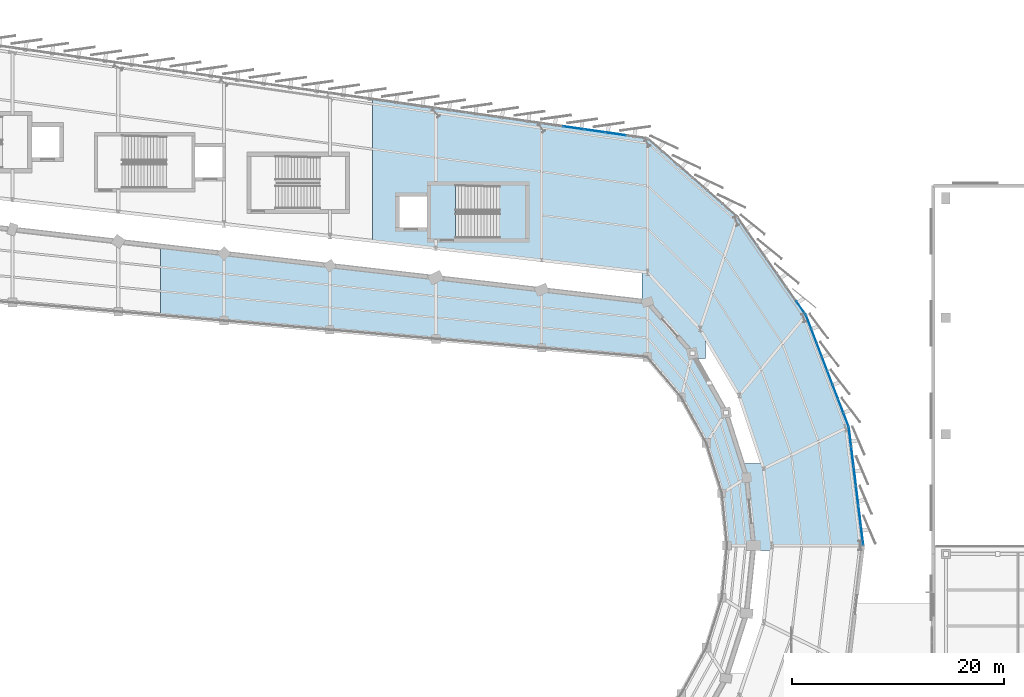
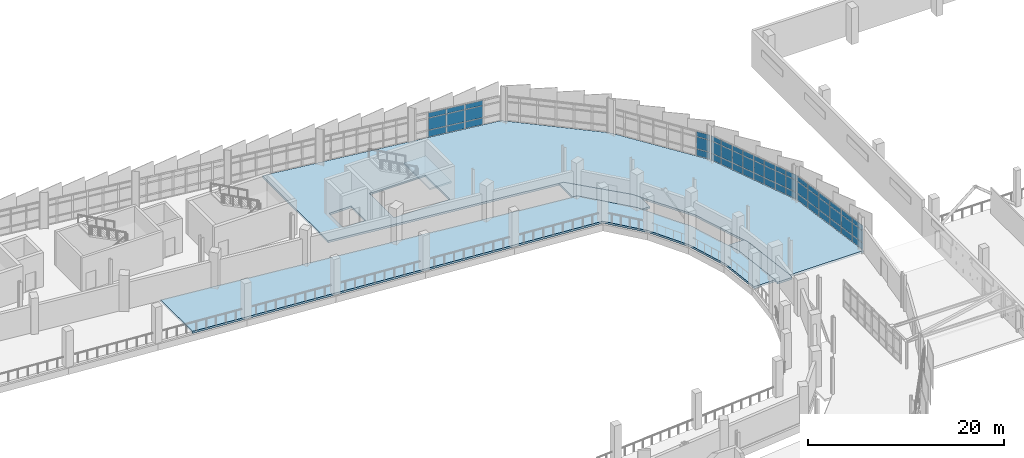
# One storey, part 95 of 125: 54 plates, 5 slabs, 5 elements without a shape of their own.
"""IFC4 building model written with IfcOpenShell, lengths in metres."""

from ifc_helpers import new_model, si_unit, direction, frame, origin, origin_2d, place, context, subcontext, project, spatial, polyline, rectangle, outline, extrude, material, layer, layer_set, type_object, element, aggregate, save


model = new_model("IFC4")

# Units and contexts
model_context = context("Model", 3, precision=1e-05, world=origin(), true_north=direction((0.0, 1.0)))
body_context = subcontext(model_context, "Body", "Model", "MODEL_VIEW")
ifc_project = project(units=[si_unit("LENGTHUNIT", "METRE"), si_unit("AREAUNIT", "SQUARE_METRE"), si_unit("VOLUMEUNIT", "CUBIC_METRE"), si_unit("PLANEANGLEUNIT", "RADIAN"), si_unit("MASSUNIT", "GRAM", prefix="KILO")], contexts=[model_context])

# Site, building, storey
site_placement = place(None, origin())
site = spatial("IfcSite", under=ifc_project, at=site_placement, CompositionType="ELEMENT")
building_placement = place(site_placement, origin())
building = spatial("IfcBuilding", under=site, at=building_placement, Name="Sohan Crest Arena", CompositionType="ELEMENT")
storey_placement = place(building_placement, frame((0.0, 0.0, 9.0)))
storey = spatial("IfcBuildingStorey", under=building, at=storey_placement, Name="L02", CompositionType="ELEMENT", Elevation=9.0)

# Curtain wall, plates
ifc_material_1 = material(Name="Thermally broken anodised aluminium", Category="aluminium")
ifc_layer_1 = layer(ifc_material_1, 0.179931640625, Name="Thermally broken anodised aluminium")
ifc_layer_set_1 = layer_set([ifc_layer_1], Name="Thermally broken anodised aluminium")
curtain_wall_type_1 = type_object("IfcCurtainWallType", Name="ARC-CW01", PredefinedType="NOTDEFINED", material=ifc_layer_set_1)
curtain_wall_1_placement = place(storey_placement, origin())
curtain_wall_1 = element("IfcCurtainWall", 1, at=curtain_wall_1_placement, inside=storey, type_object=curtain_wall_type_1, Name="Unitised curtain wall CW-070", PredefinedType="NOTDEFINED")
ifc_material_2 = material(Name="Low-E double-glazed insulated glass", Category="glass")
ifc_layer_2 = layer(ifc_material_2, 0.028076171875, Name="Low-E double-glazed insulated glass")
ifc_layer_set_2 = layer_set([ifc_layer_2], Name="Low-E double-glazed insulated glass")
plate_type_1 = type_object("IfcPlateType", Name="ARC-CNP01", PredefinedType="CURTAIN_PANEL", material=ifc_layer_set_2)
plate_1_placement = place(storey_placement, frame((186.757080078125, 89.88525390625, 0.06005859375), z_axis=(0.0, 0.0, 1.0), x_axis=(-0.357566775262, 0.933887574191, 0.0)))
plate_1 = element("IfcPlate", 2, at=plate_1_placement, type_object=plate_type_1, Name="CW-070 panel 1.1", PredefinedType="CURTAIN_PANEL", context=body_context, shape_type="SweptSolid", body=[
    extrude(rectangle(XDim=1.322021484375, YDim=0.028076171875, at=origin_2d()), origin(), (0.0, 0.0, 1.0), 0.81005859375),
])
plate_2_placement = place(storey_placement, frame((186.757080078125, 89.88525390625, 0.929931640625), z_axis=(0.0, 0.0, 1.0), x_axis=(-0.357566775262, 0.933887574191, 0.0)))
plate_2 = element("IfcPlate", 3, at=plate_2_placement, type_object=plate_type_1, Name="CW-070 panel 1.2", PredefinedType="CURTAIN_PANEL", context=body_context, shape_type="SweptSolid", body=[
    extrude(rectangle(XDim=1.322021484375, YDim=0.028076171875, at=origin_2d()), origin(), (0.0, 0.0, 1.0), 1.4599609375),
])
plate_3_placement = place(storey_placement, frame((186.757080078125, 89.88525390625, 2.44970703125), z_axis=(0.0, 0.0, 1.0), x_axis=(-0.357566775262, 0.933887574191, 0.0)))
plate_3 = element("IfcPlate", 4, at=plate_3_placement, type_object=plate_type_1, Name="CW-070 panel 1.3", PredefinedType="CURTAIN_PANEL", context=body_context, shape_type="SweptSolid", body=[
    extrude(rectangle(XDim=1.322021484375, YDim=0.028076171875, at=origin_2d()), origin(), (0.0, 0.0, 1.0), 0.610107421875),
])
plate_4_placement = place(storey_placement, frame((186.257568359375, 91.18994140625, 0.06005859375), z_axis=(0.0, 0.0, 1.0), x_axis=(-0.357566775262, 0.933887574191, 0.0)))
plate_4 = element("IfcPlate", 5, at=plate_4_placement, type_object=plate_type_1, Name="CW-070 panel 2.1", PredefinedType="CURTAIN_PANEL", context=body_context, shape_type="SweptSolid", body=[
    extrude(rectangle(XDim=1.35205078125, YDim=0.028076171875, at=origin_2d()), origin(), (0.0, 0.0, 1.0), 0.81005859375),
])
plate_5_placement = place(storey_placement, frame((186.257568359375, 91.18994140625, 0.929931640625), z_axis=(0.0, 0.0, 1.0), x_axis=(-0.357566775262, 0.933887574191, 0.0)))
plate_5 = element("IfcPlate", 6, at=plate_5_placement, type_object=plate_type_1, Name="CW-070 panel 2.2", PredefinedType="CURTAIN_PANEL", context=body_context, shape_type="SweptSolid", body=[
    extrude(rectangle(XDim=1.35205078125, YDim=0.028076171875, at=origin_2d()), origin(), (0.0, 0.0, 1.0), 1.4599609375),
])
plate_6_placement = place(storey_placement, frame((186.257568359375, 91.18994140625, 2.44970703125), z_axis=(0.0, 0.0, 1.0), x_axis=(-0.357566775262, 0.933887574191, 0.0)))
plate_6 = element("IfcPlate", 7, at=plate_6_placement, type_object=plate_type_1, Name="CW-070 panel 2.3", PredefinedType="CURTAIN_PANEL", context=body_context, shape_type="SweptSolid", body=[
    extrude(rectangle(XDim=1.35205078125, YDim=0.028076171875, at=origin_2d()), origin(), (0.0, 0.0, 1.0), 0.610107421875),
])
plate_7_placement = place(storey_placement, frame((185.7529296875, 92.508544921875, 0.06005859375), z_axis=(0.0, 0.0, 1.0), x_axis=(-0.357566775262, 0.933887574191, 0.0)))
plate_7 = element("IfcPlate", 8, at=plate_7_placement, type_object=plate_type_1, Name="CW-070 panel 3.1", PredefinedType="CURTAIN_PANEL", context=body_context, shape_type="SweptSolid", body=[
    extrude(rectangle(XDim=1.35205078125, YDim=0.028076171875, at=origin_2d()), origin(), (0.0, 0.0, 1.0), 0.81005859375),
])
plate_8_placement = place(storey_placement, frame((185.7529296875, 92.508544921875, 0.929931640625), z_axis=(0.0, 0.0, 1.0), x_axis=(-0.357566775262, 0.933887574191, 0.0)))
plate_8 = element("IfcPlate", 9, at=plate_8_placement, type_object=plate_type_1, Name="CW-070 panel 3.2", PredefinedType="CURTAIN_PANEL", context=body_context, shape_type="SweptSolid", body=[
    extrude(rectangle(XDim=1.35205078125, YDim=0.028076171875, at=origin_2d()), origin(), (0.0, 0.0, 1.0), 1.4599609375),
])
plate_9_placement = place(storey_placement, frame((185.7529296875, 92.508544921875, 2.44970703125), z_axis=(0.0, 0.0, 1.0), x_axis=(-0.357566775262, 0.933887574191, 0.0)))
plate_9 = element("IfcPlate", 10, at=plate_9_placement, type_object=plate_type_1, Name="CW-070 panel 3.3", PredefinedType="CURTAIN_PANEL", context=body_context, shape_type="SweptSolid", body=[
    extrude(rectangle(XDim=1.35205078125, YDim=0.028076171875, at=origin_2d()), origin(), (0.0, 0.0, 1.0), 0.610107421875),
])
plate_10_placement = place(storey_placement, frame((185.248046875, 93.8271484375, 0.06005859375), z_axis=(0.0, 0.0, 1.0), x_axis=(-0.357566775262, 0.933887574191, 0.0)))
plate_10 = element("IfcPlate", 11, at=plate_10_placement, type_object=plate_type_1, Name="CW-070 panel 4.1", PredefinedType="CURTAIN_PANEL", context=body_context, shape_type="SweptSolid", body=[
    extrude(rectangle(XDim=1.35205078125, YDim=0.028076171875, at=origin_2d()), origin(), (0.0, 0.0, 1.0), 0.81005859375),
])
plate_11_placement = place(storey_placement, frame((185.248046875, 93.8271484375, 0.929931640625), z_axis=(0.0, 0.0, 1.0), x_axis=(-0.357566775262, 0.933887574191, 0.0)))
plate_11 = element("IfcPlate", 12, at=plate_11_placement, type_object=plate_type_1, Name="CW-070 panel 4.2", PredefinedType="CURTAIN_PANEL", context=body_context, shape_type="SweptSolid", body=[
    extrude(rectangle(XDim=1.35205078125, YDim=0.028076171875, at=origin_2d()), origin(), (0.0, 0.0, 1.0), 1.4599609375),
])
plate_12_placement = place(storey_placement, frame((185.248046875, 93.8271484375, 2.44970703125), z_axis=(0.0, 0.0, 1.0), x_axis=(-0.357566775262, 0.933887574191, 0.0)))
plate_12 = element("IfcPlate", 13, at=plate_12_placement, type_object=plate_type_1, Name="CW-070 panel 4.3", PredefinedType="CURTAIN_PANEL", context=body_context, shape_type="SweptSolid", body=[
    extrude(rectangle(XDim=1.35205078125, YDim=0.028076171875, at=origin_2d()), origin(), (0.0, 0.0, 1.0), 0.610107421875),
])
plate_13_placement = place(storey_placement, frame((184.7431640625, 95.145751953125, 0.06005859375), z_axis=(0.0, 0.0, 1.0), x_axis=(-0.357566775262, 0.933887574191, 0.0)))
plate_13 = element("IfcPlate", 14, at=plate_13_placement, type_object=plate_type_1, Name="CW-070 panel 5.1", PredefinedType="CURTAIN_PANEL", context=body_context, shape_type="SweptSolid", body=[
    extrude(rectangle(XDim=1.35205078125, YDim=0.028076171875, at=origin_2d()), origin(), (0.0, 0.0, 1.0), 0.81005859375),
])
plate_14_placement = place(storey_placement, frame((184.7431640625, 95.145751953125, 0.929931640625), z_axis=(0.0, 0.0, 1.0), x_axis=(-0.357566775262, 0.933887574191, 0.0)))
plate_14 = element("IfcPlate", 15, at=plate_14_placement, type_object=plate_type_1, Name="CW-070 panel 5.2", PredefinedType="CURTAIN_PANEL", context=body_context, shape_type="SweptSolid", body=[
    extrude(rectangle(XDim=1.35205078125, YDim=0.028076171875, at=origin_2d()), origin(), (0.0, 0.0, 1.0), 1.4599609375),
])
plate_15_placement = place(storey_placement, frame((184.7431640625, 95.145751953125, 2.44970703125), z_axis=(0.0, 0.0, 1.0), x_axis=(-0.357566775262, 0.933887574191, 0.0)))
plate_15 = element("IfcPlate", 16, at=plate_15_placement, type_object=plate_type_1, Name="CW-070 panel 5.3", PredefinedType="CURTAIN_PANEL", context=body_context, shape_type="SweptSolid", body=[
    extrude(rectangle(XDim=1.35205078125, YDim=0.028076171875, at=origin_2d()), origin(), (0.0, 0.0, 1.0), 0.610107421875),
])
plate_16_placement = place(storey_placement, frame((184.23828125, 96.46435546875, 0.06005859375), z_axis=(0.0, 0.0, 1.0), x_axis=(-0.357566775262, 0.933887574191, 0.0)))
plate_16 = element("IfcPlate", 17, at=plate_16_placement, type_object=plate_type_1, Name="CW-070 panel 6.1", PredefinedType="CURTAIN_PANEL", context=body_context, shape_type="SweptSolid", body=[
    extrude(rectangle(XDim=1.35205078125, YDim=0.028076171875, at=origin_2d()), origin(), (0.0, 0.0, 1.0), 0.81005859375),
])
plate_17_placement = place(storey_placement, frame((184.23828125, 96.46435546875, 0.929931640625), z_axis=(0.0, 0.0, 1.0), x_axis=(-0.357566775262, 0.933887574191, 0.0)))
plate_17 = element("IfcPlate", 18, at=plate_17_placement, type_object=plate_type_1, Name="CW-070 panel 6.2", PredefinedType="CURTAIN_PANEL", context=body_context, shape_type="SweptSolid", body=[
    extrude(rectangle(XDim=1.35205078125, YDim=0.028076171875, at=origin_2d()), origin(), (0.0, 0.0, 1.0), 1.4599609375),
])
plate_18_placement = place(storey_placement, frame((184.23828125, 96.46435546875, 2.44970703125), z_axis=(0.0, 0.0, 1.0), x_axis=(-0.357566775262, 0.933887574191, 0.0)))
plate_18 = element("IfcPlate", 19, at=plate_18_placement, type_object=plate_type_1, Name="CW-070 panel 6.3", PredefinedType="CURTAIN_PANEL", context=body_context, shape_type="SweptSolid", body=[
    extrude(rectangle(XDim=1.35205078125, YDim=0.028076171875, at=origin_2d()), origin(), (0.0, 0.0, 1.0), 0.610107421875),
])
plate_19_placement = place(storey_placement, frame((183.7333984375, 97.782958984375, 0.06005859375), z_axis=(0.0, 0.0, 1.0), x_axis=(-0.357566775262, 0.933887574191, 0.0)))
plate_19 = element("IfcPlate", 20, at=plate_19_placement, type_object=plate_type_1, Name="CW-070 panel 7.1", PredefinedType="CURTAIN_PANEL", context=body_context, shape_type="SweptSolid", body=[
    extrude(rectangle(XDim=1.35205078125, YDim=0.028076171875, at=origin_2d()), origin(), (0.0, 0.0, 1.0), 0.81005859375),
])
plate_20_placement = place(storey_placement, frame((183.7333984375, 97.782958984375, 0.929931640625), z_axis=(0.0, 0.0, 1.0), x_axis=(-0.357566775262, 0.933887574191, 0.0)))
plate_20 = element("IfcPlate", 21, at=plate_20_placement, type_object=plate_type_1, Name="CW-070 panel 7.2", PredefinedType="CURTAIN_PANEL", context=body_context, shape_type="SweptSolid", body=[
    extrude(rectangle(XDim=1.35205078125, YDim=0.028076171875, at=origin_2d()), origin(), (0.0, 0.0, 1.0), 1.4599609375),
])
plate_21_placement = place(storey_placement, frame((183.7333984375, 97.782958984375, 2.44970703125), z_axis=(0.0, 0.0, 1.0), x_axis=(-0.357566775262, 0.933887574191, 0.0)))
plate_21 = element("IfcPlate", 22, at=plate_21_placement, type_object=plate_type_1, Name="CW-070 panel 7.3", PredefinedType="CURTAIN_PANEL", context=body_context, shape_type="SweptSolid", body=[
    extrude(rectangle(XDim=1.35205078125, YDim=0.028076171875, at=origin_2d()), origin(), (0.0, 0.0, 1.0), 0.610107421875),
])
plate_22_placement = place(storey_placement, frame((183.23388671875, 99.087646484375, 0.06005859375), z_axis=(0.0, 0.0, 1.0), x_axis=(-0.357566775262, 0.933887574191, 0.0)))
plate_22 = element("IfcPlate", 23, at=plate_22_placement, type_object=plate_type_1, Name="CW-070 panel 8.1", PredefinedType="CURTAIN_PANEL", context=body_context, shape_type="SweptSolid", body=[
    extrude(rectangle(XDim=1.322021484375, YDim=0.028076171875, at=origin_2d()), origin(), (0.0, 0.0, 1.0), 0.81005859375),
])
plate_23_placement = place(storey_placement, frame((183.23388671875, 99.087646484375, 0.929931640625), z_axis=(0.0, 0.0, 1.0), x_axis=(-0.357566775262, 0.933887574191, 0.0)))
plate_23 = element("IfcPlate", 24, at=plate_23_placement, type_object=plate_type_1, Name="CW-070 panel 8.2", PredefinedType="CURTAIN_PANEL", context=body_context, shape_type="SweptSolid", body=[
    extrude(rectangle(XDim=1.322021484375, YDim=0.028076171875, at=origin_2d()), origin(), (0.0, 0.0, 1.0), 1.4599609375),
])
plate_24_placement = place(storey_placement, frame((183.23388671875, 99.087646484375, 2.44970703125), z_axis=(0.0, 0.0, 1.0), x_axis=(-0.357566775262, 0.933887574191, 0.0)))
plate_24 = element("IfcPlate", 25, at=plate_24_placement, type_object=plate_type_1, Name="CW-070 panel 8.3", PredefinedType="CURTAIN_PANEL", context=body_context, shape_type="SweptSolid", body=[
    extrude(rectangle(XDim=1.322021484375, YDim=0.028076171875, at=origin_2d()), origin(), (0.0, 0.0, 1.0), 0.610107421875),
])
aggregate(curtain_wall_1, [plate_1, plate_2, plate_3, plate_4, plate_5, plate_6, plate_7, plate_8, plate_9, plate_10, plate_11, plate_12, plate_13, plate_14, plate_15, plate_16, plate_17, plate_18, plate_19, plate_20, plate_21, plate_22, plate_23, plate_24])

ifc_layer_3 = layer(ifc_material_1, 0.199951171875, Name="Thermally broken anodised aluminium")
ifc_layer_set_3 = layer_set([ifc_layer_3], Name="Thermally broken anodised aluminium")
curtain_wall_type_2 = type_object("IfcCurtainWallType", Name="ARC-CW02", PredefinedType="NOTDEFINED", material=ifc_layer_set_3)
curtain_wall_2_placement = place(storey_placement, origin())
curtain_wall_2 = element("IfcCurtainWall", 26, at=curtain_wall_2_placement, inside=storey, type_object=curtain_wall_type_2, Name="Unitised curtain wall CW-071", PredefinedType="NOTDEFINED")
ifc_layer_4 = layer(ifc_material_2, 0.031982421875, Name="Low-E double-glazed insulated glass")
ifc_layer_set_4 = layer_set([ifc_layer_4], Name="Low-E double-glazed insulated glass")
plate_type_2 = type_object("IfcPlateType", Name="ARC-CNP02", PredefinedType="CURTAIN_PANEL", material=ifc_layer_set_4)
plate_25_placement = place(storey_placement, frame((182.5048828125, 100.435791015625, 0.06494140625), z_axis=(0.0, 0.0, 1.0), x_axis=(-0.572428059971, 0.819954947639, 0.0)))
plate_25 = element("IfcPlate", 27, at=plate_25_placement, type_object=plate_type_2, Name="CW-071 panel 1.1", PredefinedType="CURTAIN_PANEL", context=body_context, shape_type="SweptSolid", body=[
    extrude(rectangle(XDim=1.51611328125, YDim=0.031982421875, at=origin_2d()), origin(), (0.0, 0.0, 1.0), 0.802490234375),
])
plate_26_placement = place(storey_placement, frame((182.5048828125, 100.435791015625, 0.932373046875), z_axis=(0.0, 0.0, 1.0), x_axis=(-0.572428059971, 0.819954947639, 0.0)))
plate_26 = element("IfcPlate", 28, at=plate_26_placement, type_object=plate_type_2, Name="CW-071 panel 1.2", PredefinedType="CURTAIN_PANEL", context=body_context, shape_type="SweptSolid", body=[
    extrude(rectangle(XDim=1.51611328125, YDim=0.031982421875, at=origin_2d()), origin(), (0.0, 0.0, 1.0), 1.455078125),
])
plate_27_placement = place(storey_placement, frame((182.5048828125, 100.435791015625, 2.452392578125), z_axis=(0.0, 0.0, 1.0), x_axis=(-0.572428059971, 0.819954947639, 0.0)))
plate_27 = element("IfcPlate", 29, at=plate_27_placement, type_object=plate_type_2, Name="CW-071 panel 1.3", PredefinedType="CURTAIN_PANEL", context=body_context, shape_type="SweptSolid", body=[
    extrude(rectangle(XDim=1.51611328125, YDim=0.031982421875, at=origin_2d()), origin(), (0.0, 0.0, 1.0), 0.6025390625),
])
aggregate(curtain_wall_2, [plate_25, plate_26, plate_27])

ifc_layer_5 = layer(ifc_material_1, 0.2099609375, Name="Thermally broken anodised aluminium")
ifc_layer_set_5 = layer_set([ifc_layer_5], Name="Thermally broken anodised aluminium")
curtain_wall_type_3 = type_object("IfcCurtainWallType", Name="ARC-CW06", PredefinedType="NOTDEFINED", material=ifc_layer_set_5)
curtain_wall_3_placement = place(storey_placement, origin())
curtain_wall_3 = element("IfcCurtainWall", 30, at=curtain_wall_3_placement, inside=storey, type_object=curtain_wall_type_3, Name="Unitised curtain wall CW-069", PredefinedType="NOTDEFINED")
ifc_material_3 = material(Name="Insulated polychrome ceramic spandrel panel", Category="masonry")
ifc_layer_6 = layer(ifc_material_3, 0.0419921875, Name="Insulated polychrome ceramic spandrel panel")
ifc_layer_set_6 = layer_set([ifc_layer_6], Name="Insulated polychrome ceramic spandrel panel")
plate_type_3 = type_object("IfcPlateType", Name="ARC-CNP04", PredefinedType="CURTAIN_PANEL", material=ifc_layer_set_6)
plate_28_placement = place(storey_placement, frame((188.272216796875, 78.952880859375, 0.070068359375), z_axis=(0.0, 0.0, 1.0), x_axis=(-0.121637310023, 0.992574614228, 0.0)))
plate_28 = element("IfcPlate", 31, at=plate_28_placement, type_object=plate_type_3, Name="CW-069 panel 1.1", PredefinedType="CURTAIN_PANEL", context=body_context, shape_type="SweptSolid", body=[
    extrude(rectangle(XDim=1.770263671875, YDim=0.0419921875, at=origin_2d()), origin(), (0.0, 0.0, 1.0), 0.794921875),
])
plate_29_placement = place(storey_placement, frame((188.272216796875, 78.952880859375, 0.93505859375), z_axis=(0.0, 0.0, 1.0), x_axis=(-0.121637310023, 0.992574614228, 0.0)))
plate_29 = element("IfcPlate", 32, at=plate_29_placement, type_object=plate_type_3, Name="CW-069 panel 1.2", PredefinedType="CURTAIN_PANEL", context=body_context, shape_type="SweptSolid", body=[
    extrude(rectangle(XDim=1.770263671875, YDim=0.0419921875, at=origin_2d()), origin(), (0.0, 0.0, 1.0), 1.449951171875),
])
plate_30_placement = place(storey_placement, frame((188.272216796875, 78.952880859375, 2.455078125), z_axis=(0.0, 0.0, 1.0), x_axis=(-0.121637310023, 0.992574614228, 0.0)))
plate_30 = element("IfcPlate", 33, at=plate_30_placement, type_object=plate_type_3, Name="CW-069 panel 1.3", PredefinedType="CURTAIN_PANEL", context=body_context, shape_type="SweptSolid", body=[
    extrude(rectangle(XDim=1.770263671875, YDim=0.0419921875, at=origin_2d()), origin(), (0.0, 0.0, 1.0), 0.594970703125),
])
plate_31_placement = place(storey_placement, frame((188.04541015625, 80.802978515625, 0.070068359375), z_axis=(0.0, 0.0, 1.0), x_axis=(-0.121637310023, 0.992574614228, 0.0)))
plate_31 = element("IfcPlate", 34, at=plate_31_placement, type_object=plate_type_3, Name="CW-069 panel 2.1", PredefinedType="CURTAIN_PANEL", context=body_context, shape_type="SweptSolid", body=[
    extrude(rectangle(XDim=1.8076171875, YDim=0.0419921875, at=origin_2d()), origin(), (0.0, 0.0, 1.0), 0.794921875),
])
plate_32_placement = place(storey_placement, frame((188.04541015625, 80.802978515625, 0.93505859375), z_axis=(0.0, 0.0, 1.0), x_axis=(-0.121637310023, 0.992574614228, 0.0)))
plate_32 = element("IfcPlate", 35, at=plate_32_placement, type_object=plate_type_3, Name="CW-069 panel 2.2", PredefinedType="CURTAIN_PANEL", context=body_context, shape_type="SweptSolid", body=[
    extrude(rectangle(XDim=1.8076171875, YDim=0.0419921875, at=origin_2d()), origin(), (0.0, 0.0, 1.0), 1.449951171875),
])
plate_33_placement = place(storey_placement, frame((188.04541015625, 80.802978515625, 2.455078125), z_axis=(0.0, 0.0, 1.0), x_axis=(-0.121637310023, 0.992574614228, 0.0)))
plate_33 = element("IfcPlate", 36, at=plate_33_placement, type_object=plate_type_3, Name="CW-069 panel 2.3", PredefinedType="CURTAIN_PANEL", context=body_context, shape_type="SweptSolid", body=[
    extrude(rectangle(XDim=1.8076171875, YDim=0.0419921875, at=origin_2d()), origin(), (0.0, 0.0, 1.0), 0.594970703125),
])
plate_34_placement = place(storey_placement, frame((187.81640625, 82.671630859375, 0.070068359375), z_axis=(0.0, 0.0, 1.0), x_axis=(-0.121637310023, 0.992574614228, 0.0)))
plate_34 = element("IfcPlate", 37, at=plate_34_placement, type_object=plate_type_3, Name="CW-069 panel 3.1", PredefinedType="CURTAIN_PANEL", context=body_context, shape_type="SweptSolid", body=[
    extrude(rectangle(XDim=1.8076171875, YDim=0.0419921875, at=origin_2d()), origin(), (0.0, 0.0, 1.0), 0.794921875),
])
plate_35_placement = place(storey_placement, frame((187.81640625, 82.671630859375, 0.93505859375), z_axis=(0.0, 0.0, 1.0), x_axis=(-0.121637310023, 0.992574614228, 0.0)))
plate_35 = element("IfcPlate", 38, at=plate_35_placement, type_object=plate_type_3, Name="CW-069 panel 3.2", PredefinedType="CURTAIN_PANEL", context=body_context, shape_type="SweptSolid", body=[
    extrude(rectangle(XDim=1.8076171875, YDim=0.0419921875, at=origin_2d()), origin(), (0.0, 0.0, 1.0), 1.449951171875),
])
plate_36_placement = place(storey_placement, frame((187.81640625, 82.671630859375, 2.455078125), z_axis=(0.0, 0.0, 1.0), x_axis=(-0.121637310023, 0.992574614228, 0.0)))
plate_36 = element("IfcPlate", 39, at=plate_36_placement, type_object=plate_type_3, Name="CW-069 panel 3.3", PredefinedType="CURTAIN_PANEL", context=body_context, shape_type="SweptSolid", body=[
    extrude(rectangle(XDim=1.8076171875, YDim=0.0419921875, at=origin_2d()), origin(), (0.0, 0.0, 1.0), 0.594970703125),
])
plate_37_placement = place(storey_placement, frame((187.58740234375, 84.540283203125, 0.070068359375), z_axis=(0.0, 0.0, 1.0), x_axis=(-0.121637310023, 0.992574614228, 0.0)))
plate_37 = element("IfcPlate", 40, at=plate_37_placement, type_object=plate_type_3, Name="CW-069 panel 4.1", PredefinedType="CURTAIN_PANEL", context=body_context, shape_type="SweptSolid", body=[
    extrude(rectangle(XDim=1.8076171875, YDim=0.0419921875, at=origin_2d()), origin(), (0.0, 0.0, 1.0), 0.794921875),
])
plate_38_placement = place(storey_placement, frame((187.58740234375, 84.540283203125, 0.93505859375), z_axis=(0.0, 0.0, 1.0), x_axis=(-0.121637310023, 0.992574614228, 0.0)))
plate_38 = element("IfcPlate", 41, at=plate_38_placement, type_object=plate_type_3, Name="CW-069 panel 4.2", PredefinedType="CURTAIN_PANEL", context=body_context, shape_type="SweptSolid", body=[
    extrude(rectangle(XDim=1.8076171875, YDim=0.0419921875, at=origin_2d()), origin(), (0.0, 0.0, 1.0), 1.449951171875),
])
plate_39_placement = place(storey_placement, frame((187.58740234375, 84.540283203125, 2.455078125), z_axis=(0.0, 0.0, 1.0), x_axis=(-0.121637310023, 0.992574614228, 0.0)))
plate_39 = element("IfcPlate", 42, at=plate_39_placement, type_object=plate_type_3, Name="CW-069 panel 4.3", PredefinedType="CURTAIN_PANEL", context=body_context, shape_type="SweptSolid", body=[
    extrude(rectangle(XDim=1.8076171875, YDim=0.0419921875, at=origin_2d()), origin(), (0.0, 0.0, 1.0), 0.594970703125),
])
plate_40_placement = place(storey_placement, frame((187.3583984375, 86.408935546875, 0.070068359375), z_axis=(0.0, 0.0, 1.0), x_axis=(-0.121637310023, 0.992574614228, 0.0)))
plate_40 = element("IfcPlate", 43, at=plate_40_placement, type_object=plate_type_3, Name="CW-069 panel 5.1", PredefinedType="CURTAIN_PANEL", context=body_context, shape_type="SweptSolid", body=[
    extrude(rectangle(XDim=1.8076171875, YDim=0.0419921875, at=origin_2d()), origin(), (0.0, 0.0, 1.0), 0.794921875),
])
plate_41_placement = place(storey_placement, frame((187.3583984375, 86.408935546875, 0.93505859375), z_axis=(0.0, 0.0, 1.0), x_axis=(-0.121637310023, 0.992574614228, 0.0)))
plate_41 = element("IfcPlate", 44, at=plate_41_placement, type_object=plate_type_3, Name="CW-069 panel 5.2", PredefinedType="CURTAIN_PANEL", context=body_context, shape_type="SweptSolid", body=[
    extrude(rectangle(XDim=1.8076171875, YDim=0.0419921875, at=origin_2d()), origin(), (0.0, 0.0, 1.0), 1.449951171875),
])
plate_42_placement = place(storey_placement, frame((187.3583984375, 86.408935546875, 2.455078125), z_axis=(0.0, 0.0, 1.0), x_axis=(-0.121637310023, 0.992574614228, 0.0)))
plate_42 = element("IfcPlate", 45, at=plate_42_placement, type_object=plate_type_3, Name="CW-069 panel 5.3", PredefinedType="CURTAIN_PANEL", context=body_context, shape_type="SweptSolid", body=[
    extrude(rectangle(XDim=1.8076171875, YDim=0.0419921875, at=origin_2d()), origin(), (0.0, 0.0, 1.0), 0.594970703125),
])
plate_43_placement = place(storey_placement, frame((187.1318359375, 88.259033203125, 0.070068359375), z_axis=(0.0, 0.0, 1.0), x_axis=(-0.121637310023, 0.992574614228, 0.0)))
plate_43 = element("IfcPlate", 46, at=plate_43_placement, type_object=plate_type_3, Name="CW-069 panel 6.1", PredefinedType="CURTAIN_PANEL", context=body_context, shape_type="SweptSolid", body=[
    extrude(rectangle(XDim=1.770263671875, YDim=0.0419921875, at=origin_2d()), origin(), (0.0, 0.0, 1.0), 0.794921875),
])
plate_44_placement = place(storey_placement, frame((187.1318359375, 88.259033203125, 0.93505859375), z_axis=(0.0, 0.0, 1.0), x_axis=(-0.121637310023, 0.992574614228, 0.0)))
plate_44 = element("IfcPlate", 47, at=plate_44_placement, type_object=plate_type_3, Name="CW-069 panel 6.2", PredefinedType="CURTAIN_PANEL", context=body_context, shape_type="SweptSolid", body=[
    extrude(rectangle(XDim=1.770263671875, YDim=0.0419921875, at=origin_2d()), origin(), (0.0, 0.0, 1.0), 1.449951171875),
])
plate_45_placement = place(storey_placement, frame((187.1318359375, 88.259033203125, 2.455078125), z_axis=(0.0, 0.0, 1.0), x_axis=(-0.121637310023, 0.992574614228, 0.0)))
plate_45 = element("IfcPlate", 48, at=plate_45_placement, type_object=plate_type_3, Name="CW-069 panel 6.3", PredefinedType="CURTAIN_PANEL", context=body_context, shape_type="SweptSolid", body=[
    extrude(rectangle(XDim=1.770263671875, YDim=0.0419921875, at=origin_2d()), origin(), (0.0, 0.0, 1.0), 0.594970703125),
])
aggregate(curtain_wall_3, [plate_28, plate_29, plate_30, plate_31, plate_32, plate_33, plate_34, plate_35, plate_36, plate_37, plate_38, plate_39, plate_40, plate_41, plate_42, plate_43, plate_44, plate_45])

ifc_layer_7 = layer(ifc_material_1, 0.239990234375, Name="Thermally broken anodised aluminium")
ifc_layer_set_7 = layer_set([ifc_layer_7], Name="Thermally broken anodised aluminium")
curtain_wall_type_4 = type_object("IfcCurtainWallType", Name="ARC-CW04", PredefinedType="NOTDEFINED", material=ifc_layer_set_7)
curtain_wall_4_placement = place(storey_placement, origin())
curtain_wall_4 = element("IfcCurtainWall", 49, at=curtain_wall_4_placement, inside=storey, type_object=curtain_wall_type_4, Name="Unitised curtain wall CW-073", PredefinedType="NOTDEFINED")
plate_46_placement = place(storey_placement, frame((165.0, 116.878662109375, 0.06005859375), z_axis=(0.0, 0.0, 1.0), x_axis=(-0.989943553128, 0.141462933734, 0.0)))
plate_46 = element("IfcPlate", 50, at=plate_46_placement, type_object=plate_type_3, Name="CW-073 panel 2.1", PredefinedType="CURTAIN_PANEL", context=body_context, shape_type="SweptSolid", body=[
    extrude(rectangle(XDim=1.9453125, YDim=0.0419921875, at=origin_2d()), origin(), (0.0, 0.0, 1.0), 0.81005859375),
])
plate_47_placement = place(storey_placement, frame((165.0, 116.878662109375, 0.929931640625), z_axis=(0.0, 0.0, 1.0), x_axis=(-0.989943553128, 0.141462933734, 0.0)))
plate_47 = element("IfcPlate", 51, at=plate_47_placement, type_object=plate_type_3, Name="CW-073 panel 2.2", PredefinedType="CURTAIN_PANEL", context=body_context, shape_type="SweptSolid", body=[
    extrude(rectangle(XDim=1.9453125, YDim=0.0419921875, at=origin_2d()), origin(), (0.0, 0.0, 1.0), 1.4599609375),
])
plate_48_placement = place(storey_placement, frame((165.0, 116.878662109375, 2.44970703125), z_axis=(0.0, 0.0, 1.0), x_axis=(-0.989943553128, 0.141462933734, 0.0)))
plate_48 = element("IfcPlate", 52, at=plate_48_placement, type_object=plate_type_3, Name="CW-073 panel 2.3", PredefinedType="CURTAIN_PANEL", context=body_context, shape_type="SweptSolid", body=[
    extrude(rectangle(XDim=1.9453125, YDim=0.0419921875, at=origin_2d()), origin(), (0.0, 0.0, 1.0), 0.610107421875),
])
plate_49_placement = place(storey_placement, frame((163.0, 117.16455078125, 0.06005859375), z_axis=(0.0, 0.0, 1.0), x_axis=(-0.989943553128, 0.141462933734, 0.0)))
plate_49 = element("IfcPlate", 53, at=plate_49_placement, type_object=plate_type_3, Name="CW-073 panel 3.1", PredefinedType="CURTAIN_PANEL", context=body_context, shape_type="SweptSolid", body=[
    extrude(rectangle(XDim=1.9453125, YDim=0.0419921875, at=origin_2d()), origin(), (0.0, 0.0, 1.0), 0.81005859375),
])
plate_50_placement = place(storey_placement, frame((163.0, 117.16455078125, 0.929931640625), z_axis=(0.0, 0.0, 1.0), x_axis=(-0.989943553128, 0.141462933734, 0.0)))
plate_50 = element("IfcPlate", 54, at=plate_50_placement, type_object=plate_type_3, Name="CW-073 panel 3.2", PredefinedType="CURTAIN_PANEL", context=body_context, shape_type="SweptSolid", body=[
    extrude(rectangle(XDim=1.9453125, YDim=0.0419921875, at=origin_2d()), origin(), (0.0, 0.0, 1.0), 1.4599609375),
])
plate_51_placement = place(storey_placement, frame((163.0, 117.16455078125, 2.44970703125), z_axis=(0.0, 0.0, 1.0), x_axis=(-0.989943553128, 0.141462933734, 0.0)))
plate_51 = element("IfcPlate", 55, at=plate_51_placement, type_object=plate_type_3, Name="CW-073 panel 3.3", PredefinedType="CURTAIN_PANEL", context=body_context, shape_type="SweptSolid", body=[
    extrude(rectangle(XDim=1.9453125, YDim=0.0419921875, at=origin_2d()), origin(), (0.0, 0.0, 1.0), 0.610107421875),
])
plate_52_placement = place(storey_placement, frame((161.0, 117.4501953125, 0.06005859375), z_axis=(0.0, 0.0, 1.0), x_axis=(-0.989943553128, 0.141462933734, 0.0)))
plate_52 = element("IfcPlate", 56, at=plate_52_placement, type_object=plate_type_3, Name="CW-073 panel 4.1", PredefinedType="CURTAIN_PANEL", context=body_context, shape_type="SweptSolid", body=[
    extrude(rectangle(XDim=1.9453125, YDim=0.0419921875, at=origin_2d()), origin(), (0.0, 0.0, 1.0), 0.81005859375),
])
plate_53_placement = place(storey_placement, frame((161.0, 117.4501953125, 0.929931640625), z_axis=(0.0, 0.0, 1.0), x_axis=(-0.989943553128, 0.141462933734, 0.0)))
plate_53 = element("IfcPlate", 57, at=plate_53_placement, type_object=plate_type_3, Name="CW-073 panel 4.2", PredefinedType="CURTAIN_PANEL", context=body_context, shape_type="SweptSolid", body=[
    extrude(rectangle(XDim=1.9453125, YDim=0.0419921875, at=origin_2d()), origin(), (0.0, 0.0, 1.0), 1.4599609375),
])
plate_54_placement = place(storey_placement, frame((161.0, 117.4501953125, 2.44970703125), z_axis=(0.0, 0.0, 1.0), x_axis=(-0.989943553128, 0.141462933734, 0.0)))
plate_54 = element("IfcPlate", 58, at=plate_54_placement, type_object=plate_type_3, Name="CW-073 panel 4.3", PredefinedType="CURTAIN_PANEL", context=body_context, shape_type="SweptSolid", body=[
    extrude(rectangle(XDim=1.9453125, YDim=0.0419921875, at=origin_2d()), origin(), (0.0, 0.0, 1.0), 0.610107421875),
])
aggregate(curtain_wall_4, [plate_46, plate_47, plate_48, plate_49, plate_50, plate_51, plate_52, plate_53, plate_54])

# Slabs
ifc_material_4 = material(Name="Concrete C40/50", Category="concrete")
ifc_layer_8 = layer(ifc_material_4, 0.25, Name="Concrete C40/50")
ifc_layer_set_8 = layer_set([ifc_layer_8], Name="Concrete C40/50")
slab_type_1 = type_object("IfcSlabType", Name="SL-FLR3", PredefinedType="FLOOR", material=ifc_layer_set_8)
slab_1_placement = place(storey_placement, frame((0.0, 0.0, -0.25)))
element("IfcSlab", 59, at=slab_1_placement, inside=storey, type_object=slab_type_1, Name="Bowl vomitory ring L02 Q2 SL-L02-V1Q2", PredefinedType="FLOOR", context=body_context, shape_type="SweptSolid", body=[
    extrude(outline(polyline([(122.0, 106.257080078125), (168.0, 101.0), (172.242919921875, 96.154052734375), (175.408935546875, 90.544921875), (177.363037109375, 84.406982421875), (178.02294921875, 78.0), (175.531982421875, 78.0), (175.037109375, 82.929931640625), (173.571044921875, 87.6640625), (171.194091796875, 92.011962890625), (168.0, 95.800048828125), (122.0, 99.742919921875), (122.0, 106.257080078125)])), origin(), (0.0, 0.0, 1.0), 0.25),
])
slab_2_placement = place(storey_placement, frame((0.0, 0.0, -0.25)))
element("IfcSlab", 60, at=slab_2_placement, inside=storey, type_object=slab_type_1, Name="Concourse ring L02 sector 5 SL-L02-V2S5", PredefinedType="FLOOR", context=body_context, shape_type="SweptSolid", body=[
    extrude(outline(polyline([(142.0, 120.1640625), (168.0, 116.449951171875), (176.510009765625, 109.02294921875), (182.97607421875, 99.760986328125), (187.014892578125, 89.2119140625), (188.388916015625, 78.0), (179.75, 78.0), (178.971923828125, 85.251953125), (176.674072265625, 92.175048828125), (172.9609375, 98.452880859375), (168.0, 103.800048828125), (142.0, 106.77197265625), (142.0, 120.1640625)]), holes=[polyline([(149.8701171875, 107.0), (156.449951171875, 107.0), (156.449951171875, 112.0), (149.8701171875, 112.0), (149.8701171875, 107.0)]), polyline([(144.550048828125, 110.949951171875), (144.550048828125, 108.050048828125), (147.14990234375, 108.050048828125), (147.14990234375, 110.949951171875), (144.550048828125, 110.949951171875)])]), origin(), (0.0, 0.0, 1.0), 0.25),
])
slab_3_placement = place(storey_placement, frame((0.0, 0.0, -0.25)))
element("IfcSlab", 61, at=slab_3_placement, inside=storey, type_object=slab_type_1, Name="Seismic joint threshold slab L02 SL-TH-L02-23", PredefinedType="FLOOR", context=body_context, shape_type="SweptSolid", body=[
    extrude(outline(polyline([(178.971923828125, 85.251953125), (179.75, 78.0), (179.696044921875, 77.5), (177.970947265625, 77.5), (178.02294921875, 78.0), (177.363037109375, 84.406982421875), (176.93505859375, 85.751953125), (178.805908203125, 85.751953125), (178.971923828125, 85.251953125)])), origin(), (0.0, 0.0, 1.0), 0.25),
])
slab_4_placement = place(storey_placement, frame((0.0, 0.0, -0.25)))
element("IfcSlab", 62, at=slab_4_placement, inside=storey, type_object=slab_type_1, Name="Seismic joint threshold slab L02 SL-TH-L02-26", PredefinedType="FLOOR", context=body_context, shape_type="SweptSolid", body=[
    extrude(outline(polyline([(168.0, 103.800048828125), (172.9609375, 98.452880859375), (173.4609375, 97.60791015625), (173.4609375, 95.654052734375), (172.52490234375, 95.654052734375), (172.242919921875, 96.154052734375), (168.0, 101.0), (167.5, 101.056884765625), (167.5, 103.85693359375), (168.0, 103.800048828125)])), origin(), (0.0, 0.0, 1.0), 0.25),
])

# Stair, slab
stair_type = type_object("IfcStairType", Name="ST-450", PredefinedType="TWO_STRAIGHT_RUN_STAIR", material=ifc_material_4)
stair_placement = place(storey_placement, origin())
stair = element("IfcStair", 63, at=stair_placement, inside=storey, type_object=stair_type, Name="Protected exit stair ST10-L02", PredefinedType="TWO_STRAIGHT_RUN_STAIR")
ifc_layer_9 = layer(ifc_material_4, 0.199951171875, Name="Concrete C40/50")
ifc_layer_set_9 = layer_set([ifc_layer_9], Name="Concrete C40/50")
slab_type_2 = type_object("IfcSlabType", Name="SL-LND1", PredefinedType="LANDING", material=ifc_layer_set_9)
slab_5_placement = place(storey_placement, frame((0.0, 0.0, 2.050048828125)))
slab_5 = element("IfcSlab", 64, at=slab_5_placement, type_object=slab_type_2, Name="ST10-L02 landing 1", PredefinedType="LANDING", context=body_context, shape_type="SweptSolid", body=[
    extrude(outline(polyline([(154.030029296875, 106.85009765625), (156.60009765625, 106.85009765625), (156.60009765625, 112.14990234375), (154.030029296875, 112.14990234375), (154.030029296875, 106.85009765625)])), origin(), (0.0, 0.0, 1.0), 0.199951171875),
])
aggregate(stair, [slab_5])

save(model, "model.ifc")
